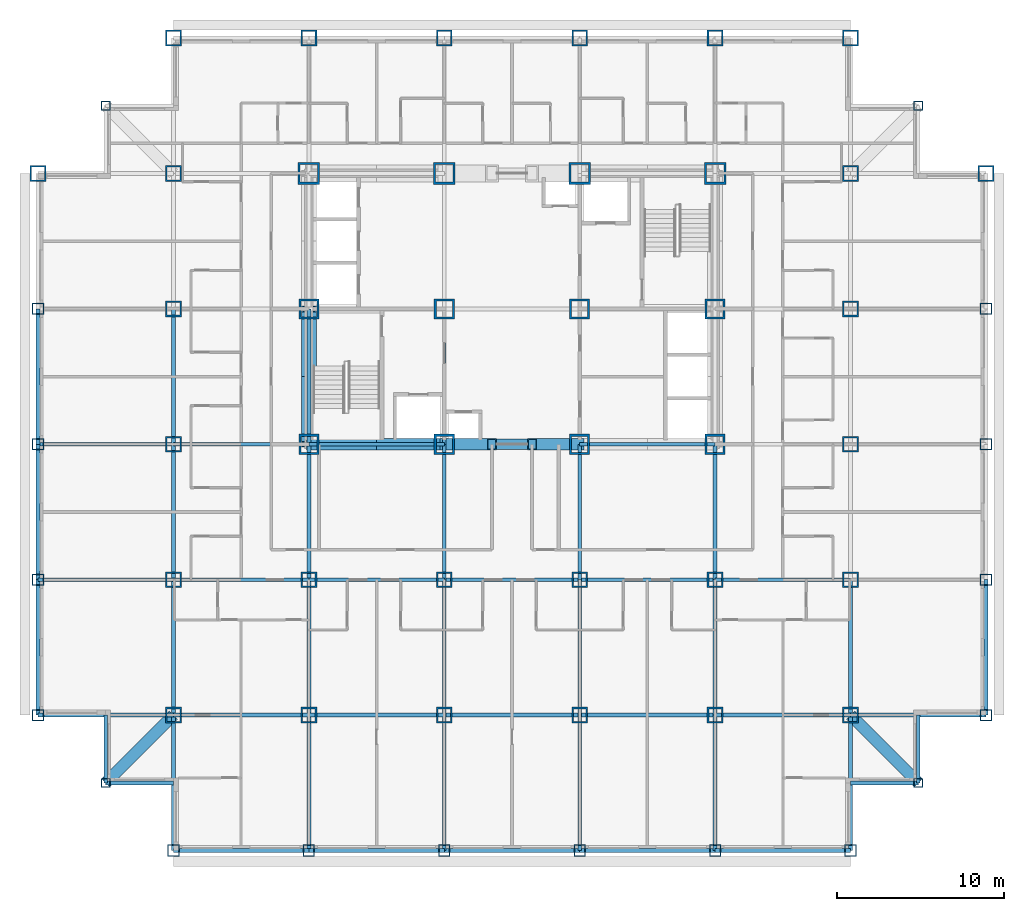
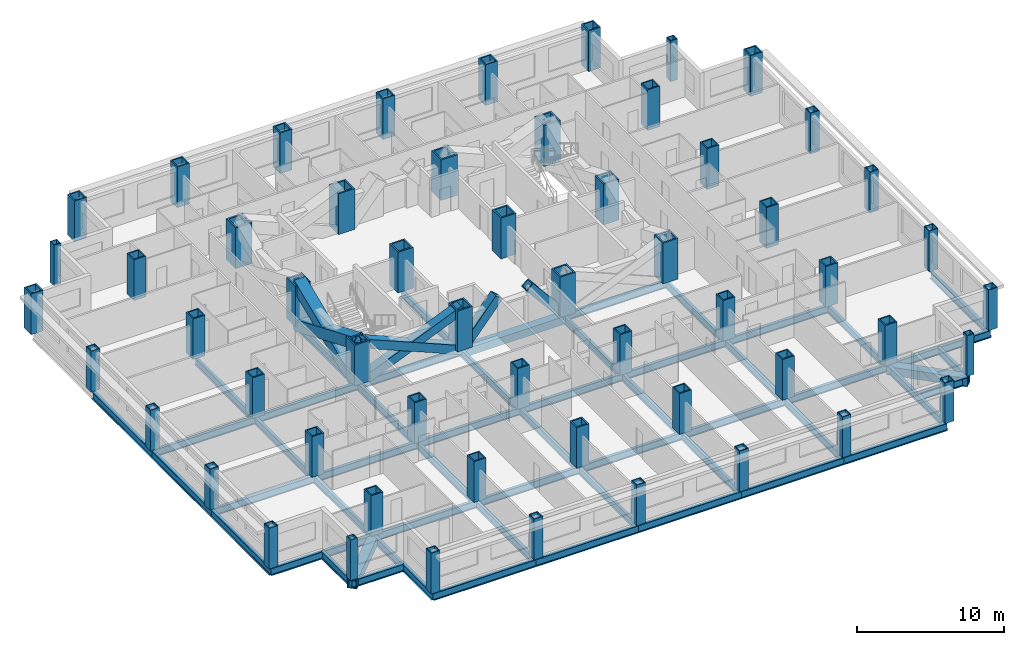
# One storey, part 1 of 11: 56 columns, 53 beams, 6 members.
"""IFC4 building model written with IfcOpenShell, lengths in metres."""

import ifcopenshell
import ifcopenshell.guid

model = None  # the IFC model being written
_history = None  # IfcOwnerHistory: only IFC2X3 demands one
_inside = {}  # id of a spatial element -> (the spatial element, [elements in it])
_under = {}  # id of a project, library or spatial element -> (it, [spatial elements below it])
_declared = {}  # id of a project -> (the project, [libraries it declares])
_typed = {}  # id of a type object -> (the type object, [elements of that type])
_made_of = {}  # id of a material, layer set ... -> (it, [elements and type objects made of it])


def new_model(schema):
    """Start an empty IFC model of exactly this schema.

    Asked for "IFC4X3", IfcOpenShell would pick the latest addendum, in which some entities
    have other attributes; the version numbers below select the first issue.
    IFC2X3 requires an IfcOwnerHistory on every rooted entity: one is made here for all.
    """
    global model, _history
    if schema == "IFC4X3":
        model = ifcopenshell.file(schema_version=(4, 3, 0, 0))
    else:
        model = ifcopenshell.file(schema=schema)
    _inside.clear()
    _under.clear()
    _declared.clear()
    _typed.clear()
    _made_of.clear()
    _history = None
    if model.schema == "IFC2X3":
        org = make("IfcOrganization", Name="unknown")
        user = make(
            "IfcPersonAndOrganization",
            ThePerson=make("IfcPerson", FamilyName="unknown"),
            TheOrganization=org,
        )
        app = make(
            "IfcApplication",
            ApplicationDeveloper=org,
            Version="unknown",
            ApplicationFullName="unknown",
            ApplicationIdentifier="unknown",
        )
        _history = make(
            "IfcOwnerHistory",
            OwningUser=user,
            OwningApplication=app,
            ChangeAction="ADDED",
            CreationDate=0,
        )
    return model


def make(cls, **values):
    """One entity of the class cls with the attributes given. An attribute that is None is left unset."""
    return model.create_entity(
        cls, **{name: value for name, value in values.items() if value is not None}
    )


def rooted(cls, **values):
    """An entity with a GlobalId (a new one), such as an element, a storey or a relation."""
    return make(cls, GlobalId=ifcopenshell.guid.new(), OwnerHistory=_history, **values)


def si_unit(unit_type, name, prefix=None):
    """IfcSIUnit, for example si_unit("LENGTHUNIT", "METRE", prefix="MILLI")."""
    return make("IfcSIUnit", UnitType=unit_type, Prefix=prefix, Name=name)


def assignment(units):
    """IfcUnitAssignment: the units of a project."""
    return None if units is None else make("IfcUnitAssignment", Units=units)


def point(xyz):
    """IfcCartesianPoint."""
    return None if xyz is None else make("IfcCartesianPoint", Coordinates=xyz)


def direction(xyz):
    """IfcDirection."""
    return None if xyz is None else make("IfcDirection", DirectionRatios=xyz)


def frame(location, z_axis=None, x_axis=None):
    """IfcAxis2Placement3D, a coordinate frame: its origin and axes. An axis left out is left unset."""
    return make(
        "IfcAxis2Placement3D",
        Location=point(location),
        Axis=direction(z_axis),
        RefDirection=direction(x_axis),
    )


def frame_2d(location, x_axis=None):
    """IfcAxis2Placement2D, a coordinate frame in the plane: its origin and x axis."""
    return make(
        "IfcAxis2Placement2D", Location=point(location), RefDirection=direction(x_axis)
    )


def origin():
    """The frame at (0, 0, 0) with its axes left unset."""
    return frame((0.0, 0.0, 0.0))


def origin_2d():
    """The frame at (0, 0) in the plane with its x axis left unset."""
    return frame_2d((0.0, 0.0))


def place(relative_to, where):
    """IfcLocalPlacement: puts the frame where relative to a parent placement (None: the world)."""
    return make(
        "IfcLocalPlacement", PlacementRelTo=relative_to, RelativePlacement=where
    )


def context(
    kind, dimensions, precision=None, world=None, true_north=None, identifier=None
):
    """IfcGeometricRepresentationContext, for example the 3D "Model" context."""
    return make(
        "IfcGeometricRepresentationContext",
        ContextIdentifier=identifier,
        ContextType=kind,
        CoordinateSpaceDimension=dimensions,
        Precision=precision,
        WorldCoordinateSystem=world,
        TrueNorth=true_north,
    )


def subcontext(parent, identifier, kind, view, scale=None):
    """IfcGeometricRepresentationSubContext, for example "Body" below "Model"."""
    return make(
        "IfcGeometricRepresentationSubContext",
        ContextIdentifier=identifier,
        ContextType=kind,
        ParentContext=parent,
        TargetScale=scale,
        TargetView=view,
    )


def project(units=None, contexts=None):
    """IfcProject with its units and contexts."""
    return rooted(
        "IfcProject",
        Name="project",
        RepresentationContexts=contexts,
        UnitsInContext=assignment(units),
    )


def spatial(cls, under=None, at=None, **own):
    """A site, building, storey or space (cls), placed at a placement, below another one or the project."""
    s = rooted(cls, ObjectPlacement=at, **own)
    if under is not None:
        _under.setdefault(under.id(), (under, []))[1].append(s)
    return s


def profile(cls, at=None, kind="AREA", **sizes):
    """A parametric profile (cls). Its sizes go by their IFC names, for example OverallWidth=200.0."""
    return make(cls, ProfileType=kind, Position=at, **sizes)


def hollow_rectangle(**sizes):
    """IfcRectangleHollowProfileDef."""
    return profile("IfcRectangleHollowProfileDef", **sizes)


def i_section(**sizes):
    """IfcIShapeProfileDef."""
    return profile("IfcIShapeProfileDef", **sizes)


def extrude(swept, where, along, depth):
    """IfcExtrudedAreaSolid: the profile swept, set in the frame where, extruded along a direction by depth."""
    return make(
        "IfcExtrudedAreaSolid",
        SweptArea=swept,
        Position=where,
        ExtrudedDirection=direction(along),
        Depth=depth,
    )


def shape(context_of_items, identifier, shape_type, items):
    """IfcShapeRepresentation: the items that make up one representation, for example the "Body"."""
    return make(
        "IfcShapeRepresentation",
        ContextOfItems=context_of_items,
        RepresentationIdentifier=identifier,
        RepresentationType=shape_type,
        Items=items,
    )


def material(Name=None, Category=None):
    """IfcMaterial."""
    return make("IfcMaterial", Name=Name, Category=Category)


def material_profile(
    of_material, cross_section, Name=None, Category=None, Priority=None
):
    """IfcMaterialProfile: a cross section and its material."""
    return make(
        "IfcMaterialProfile",
        Name=Name,
        Material=of_material,
        Profile=cross_section,
        Priority=Priority,
        Category=Category,
    )


def profile_set(profiles, Name=None, composite=None):
    """IfcMaterialProfileSet."""
    return make(
        "IfcMaterialProfileSet",
        Name=Name,
        MaterialProfiles=profiles,
        CompositeProfile=composite,
    )


def made_of(thing, what):
    """Note that an element or type object is made of a material, layer set ...; save() writes the relation."""
    if what is not None:
        _made_of.setdefault(what.id(), (what, []))[1].append(thing)
    return thing


def type_object(cls, material=None, **own):
    """A type object (cls), such as IfcWallType, which elements share."""
    return made_of(rooted(cls, **own), material)


def element(
    cls,
    number,
    at=None,
    inside=None,
    cuts=None,
    type_object=None,
    material=None,
    context=None,
    identifier="Body",
    shape_type=None,
    held_by="IfcProductDefinitionShape",
    body=None,
    shapes=None,
    **own,
):
    """One element of the class cls, such as IfcWall. Its Tag is "e" and its number.

    at: its placement. inside: the storey or other place that contains it. cuts: it is an
    opening in that element (IfcRelVoidsElement). A single representation is given by context,
    identifier, shape_type and body (its items); several are given by shapes. held_by: the class
    of the entity that holds the representations. save() writes the other relations.
    """
    e = rooted(cls, Tag="e%d" % number, ObjectPlacement=at, **own)
    if body is not None:
        shapes = [shape(context, identifier, shape_type, body)]
    if shapes is not None:
        e.Representation = make(held_by, Representations=shapes)
    if inside is not None:
        _inside.setdefault(inside.id(), (inside, []))[1].append(e)
    if cuts is not None:
        rooted(
            "IfcRelVoidsElement", RelatingBuildingElement=cuts, RelatedOpeningElement=e
        )
    if type_object is not None:
        _typed.setdefault(type_object.id(), (type_object, []))[1].append(e)
    return made_of(e, material)


def aggregate(whole, parts):
    """IfcRelAggregates: a whole, such as a stair, and the parts it consists of."""
    return rooted("IfcRelAggregates", RelatingObject=whole, RelatedObjects=parts)


def save(model, path):
    """Write the relations noted so far, then the file.

    IfcRelAggregates (storeys below a building ...), IfcRelContainedInSpatialStructure (elements
    in a storey), IfcRelDefinesByType, IfcRelAssociatesMaterial and IfcRelDeclares: one each for
    every whole, place, type object, material and project.
    """
    for whole, parts in _under.values():
        aggregate(whole, parts)
    for where, things in _inside.values():
        rooted(
            "IfcRelContainedInSpatialStructure",
            RelatedElements=things,
            RelatingStructure=where,
        )
    for kind, things in _typed.values():
        rooted("IfcRelDefinesByType", RelatedObjects=things, RelatingType=kind)
    for what, things in _made_of.values():
        rooted("IfcRelAssociatesMaterial", RelatedObjects=things, RelatingMaterial=what)
    for by, libraries in _declared.values():
        rooted("IfcRelDeclares", RelatingContext=by, RelatedDefinitions=libraries)
    model.write(path)


model = new_model("IFC4")

# Units and contexts
model_context = context("Model", 3, precision=1e-05, world=origin(), true_north=direction((0.0, 1.0)))
body_context = subcontext(model_context, "Body", "Model", "MODEL_VIEW")
ifc_project = project(units=[si_unit("LENGTHUNIT", "METRE"), si_unit("AREAUNIT", "SQUARE_METRE"), si_unit("VOLUMEUNIT", "CUBIC_METRE"), si_unit("PLANEANGLEUNIT", "RADIAN"), si_unit("MASSUNIT", "GRAM", prefix="KILO")], contexts=[model_context])

# Site, building, storey
site_placement = place(None, origin())
site = spatial("IfcSite", under=ifc_project, at=site_placement, CompositionType="ELEMENT")
building_placement = place(site_placement, origin())
building = spatial("IfcBuilding", under=site, at=building_placement, Name="Kopane Lantern Tower", CompositionType="ELEMENT")
storey_placement = place(building_placement, frame((0.0, 0.0, 33.0)))
storey = spatial("IfcBuildingStorey", under=building, at=storey_placement, Name="L06", CompositionType="ELEMENT", Elevation=33.0)

# Columns
ifc_material_1 = material(Name="Steel S355JR", Category="steel")
ifc_material_profile_1 = material_profile(ifc_material_1, hollow_rectangle(XDim=1.199951171875, YDim=1.199951171875, WallThickness=0.1201171875, at=origin_2d()), Name="BOX 1200x1200x120")
ifc_profile_set_1 = profile_set([ifc_material_profile_1], Name="Steel S355JR")
column_type_1 = type_object("IfcColumnType", Name="COLUMN BOX 1200x1200x120", PredefinedType="COLUMN", material=ifc_profile_set_1)
for number, where, z_axis, x_axis, name in (
    (1, (16.199951171875, 24.300048828125, 0.0), (0.0, 0.0, 1.0), (1.0, 0.0, 0.0), "Column 4/E L06"),
    (2, (16.199951171875, 32.39990234375, 0.0), (0.0, 0.0, 1.0), (1.0, 0.0, 0.0), "Column 4/F L06"),
    (3, (24.300048828125, 24.300048828125, 0.0), (0.0, 0.0, 1.0), (1.0, 0.0, 0.0), "Column 5/E L06"),
    (4, (24.300048828125, 32.39990234375, 0.0), (0.0, 0.0, 1.0), (1.0, 0.0, 0.0), "Column 5/F L06"),
    (5, (32.39990234375, 24.300048828125, 0.0), (0.0, 0.0, 1.0), (1.0, 0.0, 0.0), "Column 6/E L06"),
    (6, (32.39990234375, 32.39990234375, 0.0), (0.0, 0.0, 1.0), (1.0, 0.0, 0.0), "Column 6/F L06"),
    (7, (40.5, 24.300048828125, 0.0), (0.0, 0.0, 1.0), (1.0, 0.0, 0.0), "Column 7/E L06"),
    (8, (40.5, 32.39990234375, 0.0), (0.0, 0.0, 1.0), (1.0, 0.0, 0.0), "Column 7/F L06"),
):
    element("IfcColumn", number, at=place(storey_placement, frame(where, z_axis=z_axis, x_axis=x_axis)), inside=storey, type_object=column_type_1, Name=name, PredefinedType="COLUMN", context=body_context, shape_type="SweptSolid", body=[
        extrude(hollow_rectangle(XDim=1.199951171875, YDim=1.199951171875, WallThickness=0.1201171875, at=origin_2d()), origin(), (0.0, 0.0, 1.0), 3.39990234375),
    ])
ifc_material_2 = material(Name="Steel S355JR", Category="steel")
ifc_material_profile_2 = material_profile(ifc_material_2, hollow_rectangle(XDim=1.300048828125, YDim=1.300048828125, WallThickness=0.1298828125, at=origin_2d()), Name="BOX 1300x1300x130")
ifc_profile_set_2 = profile_set([ifc_material_profile_2], Name="Steel S355JR")
column_type_2 = type_object("IfcColumnType", Name="COLUMN BOX 1300x1300x130", PredefinedType="COLUMN", material=ifc_profile_set_2)
for number, where, z_axis, x_axis, name in (
    (9, (16.199951171875, 40.5, 0.0), (0.0, 0.0, 1.0), (1.0, 0.0, 0.0), "Column 4/G L06"),
    (10, (24.300048828125, 40.5, 0.0), (0.0, 0.0, 1.0), (1.0, 0.0, 0.0), "Column 5/G L06"),
    (11, (32.39990234375, 40.5, 0.0), (0.0, 0.0, 1.0), (1.0, 0.0, 0.0), "Column 6/G L06"),
    (12, (40.5, 40.5, 0.0), (0.0, 0.0, 1.0), (1.0, 0.0, 0.0), "Column 7/G L06"),
):
    element("IfcColumn", number, at=place(storey_placement, frame(where, z_axis=z_axis, x_axis=x_axis)), inside=storey, type_object=column_type_2, Name=name, PredefinedType="COLUMN", context=body_context, shape_type="SweptSolid", body=[
        extrude(hollow_rectangle(XDim=1.300048828125, YDim=1.300048828125, WallThickness=0.1298828125, at=origin_2d()), origin(), (0.0, 0.0, 1.0), 3.39990234375),
    ])
ifc_material_3 = material(Name="Steel S355JR", Category="steel")
ifc_material_profile_3 = material_profile(ifc_material_3, hollow_rectangle(XDim=0.550048828125, YDim=0.550048828125, WallThickness=0.050048828125, at=origin_2d()), Name="BOX 550x550x50")
ifc_profile_set_3 = profile_set([ifc_material_profile_3], Name="Steel S355JR")
column_type_3 = type_object("IfcColumnType", Name="COLUMN BOX 550x550x50", PredefinedType="COLUMN", material=ifc_profile_set_3)
for number, where, z_axis, x_axis, name in (
    (13, (4.050048828125, 4.050048828125, 0.0), (0.0, 0.0, 1.0), (1.0, 0.0, 0.0), "Column 4.05/4.05 L06"),
    (14, (4.050048828125, 44.550048828125, 0.0), (0.0, 0.0, 1.0), (1.0, 0.0, 0.0), "Column 4.05/44.55 L06"),
    (15, (52.64990234375, 4.050048828125, 0.0), (0.0, 0.0, 1.0), (1.0, 0.0, 0.0), "Column 52.65/4.05 L06"),
    (16, (52.64990234375, 44.550048828125, 0.0), (0.0, 0.0, 1.0), (1.0, 0.0, 0.0), "Column 52.65/44.55 L06"),
):
    element("IfcColumn", number, at=place(storey_placement, frame(where, z_axis=z_axis, x_axis=x_axis)), inside=storey, type_object=column_type_3, Name=name, PredefinedType="COLUMN", context=body_context, shape_type="SweptSolid", body=[
        extrude(hollow_rectangle(XDim=0.550048828125, YDim=0.550048828125, WallThickness=0.050048828125, at=origin_2d()), origin(), (0.0, 0.0, 1.0), 3.39990234375),
    ])
ifc_material_4 = material(Name="Steel S355JR", Category="steel")
ifc_material_profile_4 = material_profile(ifc_material_4, hollow_rectangle(XDim=0.699951171875, YDim=0.699951171875, WallThickness=0.06005859375, at=origin_2d()), Name="BOX 700x700x60")
ifc_profile_set_4 = profile_set([ifc_material_profile_4], Name="Steel S355JR")
column_type_4 = type_object("IfcColumnType", Name="COLUMN BOX 700x700x60", PredefinedType="COLUMN", material=ifc_profile_set_4)
for number, where, z_axis, x_axis, name in (
    (17, (0.0, 8.10009765625, 0.0), (0.0, 0.0, 1.0), (1.0, 0.0, 0.0), "Column 2/C L06"),
    (18, (0.0, 16.199951171875, 0.0), (0.0, 0.0, 1.0), (1.0, 0.0, 0.0), "Column 2/D L06"),
    (19, (0.0, 24.300048828125, 0.0), (0.0, 0.0, 1.0), (1.0, 0.0, 0.0), "Column 2/E L06"),
    (20, (0.0, 32.39990234375, 0.0), (0.0, 0.0, 1.0), (1.0, 0.0, 0.0), "Column 2/F L06"),
    (21, (8.10009765625, 0.0, 0.0), (0.0, 0.0, 1.0), (1.0, 0.0, 0.0), "Column 3/B L06"),
    (22, (16.199951171875, 0.0, 0.0), (0.0, 0.0, 1.0), (1.0, 0.0, 0.0), "Column 4/B L06"),
    (23, (24.300048828125, 0.0, 0.0), (0.0, 0.0, 1.0), (1.0, 0.0, 0.0), "Column 5/B L06"),
    (24, (32.39990234375, 0.0, 0.0), (0.0, 0.0, 1.0), (1.0, 0.0, 0.0), "Column 6/B L06"),
    (25, (40.5, 0.0, 0.0), (0.0, 0.0, 1.0), (1.0, 0.0, 0.0), "Column 7/B L06"),
    (26, (48.60009765625, 0.0, 0.0), (0.0, 0.0, 1.0), (1.0, 0.0, 0.0), "Column 8/B L06"),
    (27, (56.699951171875, 8.10009765625, 0.0), (0.0, 0.0, 1.0), (1.0, 0.0, 0.0), "Column 9/C L06"),
    (28, (56.699951171875, 16.199951171875, 0.0), (0.0, 0.0, 1.0), (1.0, 0.0, 0.0), "Column 9/D L06"),
    (29, (56.699951171875, 24.300048828125, 0.0), (0.0, 0.0, 1.0), (1.0, 0.0, 0.0), "Column 9/E L06"),
    (30, (56.699951171875, 32.39990234375, 0.0), (0.0, 0.0, 1.0), (1.0, 0.0, 0.0), "Column 9/F L06"),
):
    element("IfcColumn", number, at=place(storey_placement, frame(where, z_axis=z_axis, x_axis=x_axis)), inside=storey, type_object=column_type_4, Name=name, PredefinedType="COLUMN", context=body_context, shape_type="SweptSolid", body=[
        extrude(hollow_rectangle(XDim=0.699951171875, YDim=0.699951171875, WallThickness=0.06005859375, at=origin_2d()), origin(), (0.0, 0.0, 1.0), 3.39990234375),
    ])
ifc_material_5 = material(Name="Steel S355JR", Category="steel")
ifc_material_profile_5 = material_profile(ifc_material_5, hollow_rectangle(XDim=0.949951171875, YDim=0.949951171875, WallThickness=0.094970703125, at=origin_2d()), Name="BOX 950x950x95")
ifc_profile_set_5 = profile_set([ifc_material_profile_5], Name="Steel S355JR")
column_type_5 = type_object("IfcColumnType", Name="COLUMN BOX 950x950x95", PredefinedType="COLUMN", material=ifc_profile_set_5)
for number, where, z_axis, x_axis, name in (
    (31, (0.0, 40.5, 0.0), (0.0, 0.0, 1.0), (1.0, 0.0, 0.0), "Column 2/G L06"),
    (32, (8.10009765625, 8.10009765625, 0.0), (0.0, 0.0, 1.0), (1.0, 0.0, 0.0), "Column 3/C L06"),
    (33, (8.10009765625, 16.199951171875, 0.0), (0.0, 0.0, 1.0), (1.0, 0.0, 0.0), "Column 3/D L06"),
    (34, (8.10009765625, 24.300048828125, 0.0), (0.0, 0.0, 1.0), (1.0, 0.0, 0.0), "Column 3/E L06"),
    (35, (8.10009765625, 32.39990234375, 0.0), (0.0, 0.0, 1.0), (1.0, 0.0, 0.0), "Column 3/F L06"),
    (36, (8.10009765625, 40.5, 0.0), (0.0, 0.0, 1.0), (1.0, 0.0, 0.0), "Column 3/G L06"),
    (37, (8.10009765625, 48.60009765625, 0.0), (0.0, 0.0, 1.0), (1.0, 0.0, 0.0), "Column 3/H L06"),
    (38, (16.199951171875, 8.10009765625, 0.0), (0.0, 0.0, 1.0), (1.0, 0.0, 0.0), "Column 4/C L06"),
    (39, (16.199951171875, 16.199951171875, 0.0), (0.0, 0.0, 1.0), (1.0, 0.0, 0.0), "Column 4/D L06"),
    (40, (16.199951171875, 48.60009765625, 0.0), (0.0, 0.0, 1.0), (1.0, 0.0, 0.0), "Column 4/H L06"),
    (41, (24.300048828125, 8.10009765625, 0.0), (0.0, 0.0, 1.0), (1.0, 0.0, 0.0), "Column 5/C L06"),
    (42, (24.300048828125, 16.199951171875, 0.0), (0.0, 0.0, 1.0), (1.0, 0.0, 0.0), "Column 5/D L06"),
    (43, (24.300048828125, 48.60009765625, 0.0), (0.0, 0.0, 1.0), (1.0, 0.0, 0.0), "Column 5/H L06"),
    (44, (32.39990234375, 8.10009765625, 0.0), (0.0, 0.0, 1.0), (1.0, 0.0, 0.0), "Column 6/C L06"),
    (45, (32.39990234375, 16.199951171875, 0.0), (0.0, 0.0, 1.0), (1.0, 0.0, 0.0), "Column 6/D L06"),
    (46, (32.39990234375, 48.60009765625, 0.0), (0.0, 0.0, 1.0), (1.0, 0.0, 0.0), "Column 6/H L06"),
    (47, (40.5, 8.10009765625, 0.0), (0.0, 0.0, 1.0), (1.0, 0.0, 0.0), "Column 7/C L06"),
    (48, (40.5, 16.199951171875, 0.0), (0.0, 0.0, 1.0), (1.0, 0.0, 0.0), "Column 7/D L06"),
    (49, (40.5, 48.60009765625, 0.0), (0.0, 0.0, 1.0), (1.0, 0.0, 0.0), "Column 7/H L06"),
    (50, (48.60009765625, 8.10009765625, 0.0), (0.0, 0.0, 1.0), (1.0, 0.0, 0.0), "Column 8/C L06"),
    (51, (48.60009765625, 16.199951171875, 0.0), (0.0, 0.0, 1.0), (1.0, 0.0, 0.0), "Column 8/D L06"),
    (52, (48.60009765625, 24.300048828125, 0.0), (0.0, 0.0, 1.0), (1.0, 0.0, 0.0), "Column 8/E L06"),
    (53, (48.60009765625, 32.39990234375, 0.0), (0.0, 0.0, 1.0), (1.0, 0.0, 0.0), "Column 8/F L06"),
    (54, (48.60009765625, 40.5, 0.0), (0.0, 0.0, 1.0), (1.0, 0.0, 0.0), "Column 8/G L06"),
    (55, (48.60009765625, 48.60009765625, 0.0), (0.0, 0.0, 1.0), (1.0, 0.0, 0.0), "Column 8/H L06"),
    (56, (56.699951171875, 40.5, 0.0), (0.0, 0.0, 1.0), (1.0, 0.0, 0.0), "Column 9/G L06"),
):
    element("IfcColumn", number, at=place(storey_placement, frame(where, z_axis=z_axis, x_axis=x_axis)), inside=storey, type_object=column_type_5, Name=name, PredefinedType="COLUMN", context=body_context, shape_type="SweptSolid", body=[
        extrude(hollow_rectangle(XDim=0.949951171875, YDim=0.949951171875, WallThickness=0.094970703125, at=origin_2d()), origin(), (0.0, 0.0, 1.0), 3.39990234375),
    ])

# Members
ifc_material_6 = material(Name="Steel S355JR", Category="steel")
ifc_material_profile_6 = material_profile(ifc_material_6, hollow_rectangle(XDim=0.699951171875, YDim=0.699951171875, WallThickness=0.06005859375, at=origin_2d()), Name="BOX 700x700x60")
ifc_profile_set_6 = profile_set([ifc_material_profile_6], Name="Steel S355JR")
member_type_1 = type_object("IfcMemberType", Name="BRACE BOX 700x700x60", PredefinedType="BRACE", material=ifc_profile_set_6)
for number, where, z_axis, x_axis, name in (
    (57, (16.199951171875, 24.300048828125, -0.2099609375), (0.922069000757, 0.0, 0.387025526088), (0.0, 1.0, 0.0), "Core brace L06"),
    (58, (24.300048828125, 24.300048828125, -0.2099609375), (-0.922069000757, 0.0, 0.387025526088), (0.0, -1.0, 0.0), "Core brace L06"),
):
    element("IfcMember", number, at=place(storey_placement, frame(where, z_axis=z_axis, x_axis=x_axis)), inside=storey, type_object=member_type_1, Name=name, PredefinedType="BRACE", context=body_context, shape_type="SweptSolid", body=[
        extrude(hollow_rectangle(XDim=0.699951171875, YDim=0.699951171875, WallThickness=0.06005859375, at=origin_2d()), origin(), (0.0, 0.0, 1.0), 8.78466796875),
    ])
for number, where, z_axis, x_axis, name in (
    (59, (24.300048828125, 24.300048828125, -0.2099609375), (0.642390257445, 0.0, 0.7663776857), (0.0, 1.0, 0.0), "Core brace L06"),
    (60, (32.39990234375, 24.300048828125, -0.2099609375), (-0.642390257445, 0.0, 0.7663776857), (0.0, -1.0, 0.0), "Core brace L06"),
):
    element("IfcMember", number, at=place(storey_placement, frame(where, z_axis=z_axis, x_axis=x_axis)), inside=storey, type_object=member_type_1, Name=name, PredefinedType="BRACE", context=body_context, shape_type="SweptSolid", body=[
        extrude(hollow_rectangle(XDim=0.699951171875, YDim=0.699951171875, WallThickness=0.06005859375, at=origin_2d()), origin(), (0.0, 0.0, 1.0), 4.436279296875),
    ])
ifc_material_7 = material(Name="Steel S355JR", Category="steel")
ifc_material_profile_7 = material_profile(ifc_material_7, hollow_rectangle(XDim=0.89990234375, YDim=0.89990234375, WallThickness=0.090087890625, at=origin_2d()), Name="BOX 900x900x90")
ifc_profile_set_7 = profile_set([ifc_material_profile_7], Name="Steel S355JR")
member_type_2 = type_object("IfcMemberType", Name="BRACE BOX 900x900x90", PredefinedType="BRACE", material=ifc_profile_set_7)
for number, where, z_axis, x_axis, name in (
    (61, (16.199951171875, 24.300048828125, -0.2099609375), (0.0, 0.922064837731, 0.38703544414), (-1.0, 0.0, 0.0), "Core brace L06"),
    (62, (16.199951171875, 32.39990234375, -0.2099609375), (0.0, -0.922064837731, 0.38703544414), (1.0, 0.0, 0.0), "Core brace L06"),
):
    element("IfcMember", number, at=place(storey_placement, frame(where, z_axis=z_axis, x_axis=x_axis)), inside=storey, type_object=member_type_2, Name=name, PredefinedType="BRACE", context=body_context, shape_type="SweptSolid", body=[
        extrude(hollow_rectangle(XDim=0.89990234375, YDim=0.89990234375, WallThickness=0.090087890625, at=origin_2d()), origin(), (0.0, 0.0, 1.0), 8.784423828125),
    ])

# Beams
ifc_material_8 = material(Name="Steel S355JR", Category="steel")
ifc_material_profile_8 = material_profile(ifc_material_8, i_section(OverallWidth=0.22900390625, OverallDepth=0.6123046875, WebThickness=0.011962890625, FlangeThickness=0.01953125, FilletRadius=0.0126953125, at=origin_2d()), Name="UB 610x229x125")
ifc_profile_set_8 = profile_set([ifc_material_profile_8], Name="Steel S355JR")
beam_type_1 = type_object("IfcBeamType", Name="CORE BEAM UB 610x229x125", PredefinedType="BEAM", material=ifc_profile_set_8)
beam_1_placement = place(storey_placement, frame((24.300048828125, 24.300048828125, -0.51611328125), z_axis=(0.0, 1.0, 0.0), x_axis=(-1.0, 0.0, 0.0)))
element("IfcBeam", 63, at=beam_1_placement, inside=storey, type_object=beam_type_1, Name="Core Beam L06", PredefinedType="BEAM", context=body_context, shape_type="SweptSolid", body=[
    extrude(i_section(OverallWidth=0.22900390625, OverallDepth=0.6123046875, WebThickness=0.011962890625, FlangeThickness=0.01953125, FilletRadius=0.0126953125, at=origin_2d()), origin(), (0.0, 0.0, 1.0), 8.099853515625),
])
ifc_material_9 = material(Name="Steel S355JR", Category="steel")
ifc_material_profile_9 = material_profile(ifc_material_9, hollow_rectangle(XDim=0.699951171875, YDim=0.699951171875, WallThickness=0.06005859375, at=origin_2d()), Name="BOX 700x700x60")
ifc_profile_set_9 = profile_set([ifc_material_profile_9], Name="Steel S355JR")
beam_type_2 = type_object("IfcBeamType", Name="CORNER TIE BEAM BOX 700x700x60", PredefinedType="BEAM", material=ifc_profile_set_9)
for number, where, z_axis, x_axis, name in (
    (64, (4.050048828125, 4.050048828125, -0.56005859375), (0.707106781187, 0.707106781187, 0.0), (-0.707106781187, 0.707106781187, 0.0), "Corner Tie Beam L06"),
    (65, (52.64990234375, 4.050048828125, -0.56005859375), (-0.707085467703, 0.707128094028, 0.0), (-0.707128094028, -0.707085467703, 0.0), "Corner Tie Beam L06"),
):
    element("IfcBeam", number, at=place(storey_placement, frame(where, z_axis=z_axis, x_axis=x_axis)), inside=storey, type_object=beam_type_2, Name=name, PredefinedType="BEAM", context=body_context, shape_type="SweptSolid", body=[
        extrude(hollow_rectangle(XDim=0.699951171875, YDim=0.699951171875, WallThickness=0.06005859375, at=origin_2d()), origin(), (0.0, 0.0, 1.0), 5.7275390625),
    ])
ifc_material_10 = material(Name="Steel S355JR", Category="steel")
ifc_material_profile_10 = material_profile(ifc_material_10, i_section(OverallWidth=0.22900390625, OverallDepth=0.6123046875, WebThickness=0.011962890625, FlangeThickness=0.01953125, FilletRadius=0.0126953125, at=origin_2d()), Name="UB 610x229x125")
ifc_profile_set_10 = profile_set([ifc_material_profile_10], Name="Steel S355JR")
beam_type_3 = type_object("IfcBeamType", Name="EDGE BEAM UB 610x229x125", PredefinedType="BEAM", material=ifc_profile_set_10)
for number, where, z_axis, x_axis, name in (
    (66, (4.050048828125, 4.050048828125, -0.51611328125), (0.0, 1.0, 0.0), (-1.0, 0.0, 0.0), "Edge Beam L06"),
    (67, (4.050048828125, 4.050048828125, -0.51611328125), (1.0, 0.0, 0.0), (0.0, 1.0, 0.0), "Edge Beam L06"),
):
    element("IfcBeam", number, at=place(storey_placement, frame(where, z_axis=z_axis, x_axis=x_axis)), inside=storey, type_object=beam_type_3, Name=name, PredefinedType="BEAM", context=body_context, shape_type="SweptSolid", body=[
        extrude(i_section(OverallWidth=0.22900390625, OverallDepth=0.6123046875, WebThickness=0.011962890625, FlangeThickness=0.01953125, FilletRadius=0.0126953125, at=origin_2d()), origin(), (0.0, 0.0, 1.0), 4.050048828125),
    ])
beam_2_placement = place(storey_placement, frame((52.64990234375, 4.050048828125, -0.51611328125), z_axis=(-1.0, 0.0, 0.0), x_axis=(0.0, -1.0, 0.0)))
element("IfcBeam", 68, at=beam_2_placement, inside=storey, type_object=beam_type_3, Name="Edge Beam L06", PredefinedType="BEAM", context=body_context, shape_type="SweptSolid", body=[
    extrude(i_section(OverallWidth=0.22900390625, OverallDepth=0.6123046875, WebThickness=0.011962890625, FlangeThickness=0.01953125, FilletRadius=0.0126953125, at=origin_2d()), origin(), (0.0, 0.0, 1.0), 4.0498046875),
])
beam_3_placement = place(storey_placement, frame((52.64990234375, 4.050048828125, -0.51611328125), z_axis=(0.0, 1.0, 0.0), x_axis=(-1.0, 0.0, 0.0)))
element("IfcBeam", 69, at=beam_3_placement, inside=storey, type_object=beam_type_3, Name="Edge Beam L06", PredefinedType="BEAM", context=body_context, shape_type="SweptSolid", body=[
    extrude(i_section(OverallWidth=0.22900390625, OverallDepth=0.6123046875, WebThickness=0.011962890625, FlangeThickness=0.01953125, FilletRadius=0.0126953125, at=origin_2d()), origin(), (0.0, 0.0, 1.0), 4.050048828125),
])
ifc_material_11 = material(Name="Steel S355JR", Category="steel")
ifc_material_profile_11 = material_profile(ifc_material_11, i_section(OverallWidth=0.22900390625, OverallDepth=0.6123046875, WebThickness=0.011962890625, FlangeThickness=0.01953125, FilletRadius=0.0126953125, at=origin_2d()), Name="UB 610x229x125")
ifc_profile_set_11 = profile_set([ifc_material_profile_11], Name="Steel S355JR")
beam_type_4 = type_object("IfcBeamType", Name="GIRDER UB 610x229x125", PredefinedType="BEAM", material=ifc_profile_set_11)
beam_4_placement = place(storey_placement, frame((0.0, 8.10009765625, -0.51611328125), z_axis=(0.0, 1.0, 0.0), x_axis=(-1.0, 0.0, 0.0)))
element("IfcBeam", 70, at=beam_4_placement, inside=storey, type_object=beam_type_4, Name="Girder L06", PredefinedType="BEAM", context=body_context, shape_type="SweptSolid", body=[
    extrude(i_section(OverallWidth=0.22900390625, OverallDepth=0.6123046875, WebThickness=0.011962890625, FlangeThickness=0.01953125, FilletRadius=0.0126953125, at=origin_2d()), origin(), (0.0, 0.0, 1.0), 8.099853515625),
])
for number, where, z_axis, x_axis, name in (
    (71, (0.0, 8.10009765625, -0.51611328125), (1.0, 0.0, 0.0), (0.0, 1.0, 0.0), "Girder L06"),
    (72, (0.0, 16.199951171875, -0.51611328125), (0.0, 1.0, 0.0), (-1.0, 0.0, 0.0), "Girder L06"),
    (73, (0.0, 16.199951171875, -0.51611328125), (1.0, 0.0, 0.0), (0.0, 1.0, 0.0), "Girder L06"),
):
    element("IfcBeam", number, at=place(storey_placement, frame(where, z_axis=z_axis, x_axis=x_axis)), inside=storey, type_object=beam_type_4, Name=name, PredefinedType="BEAM", context=body_context, shape_type="SweptSolid", body=[
        extrude(i_section(OverallWidth=0.22900390625, OverallDepth=0.6123046875, WebThickness=0.011962890625, FlangeThickness=0.01953125, FilletRadius=0.0126953125, at=origin_2d()), origin(), (0.0, 0.0, 1.0), 8.10009765625),
    ])
beam_5_placement = place(storey_placement, frame((0.0, 24.300048828125, -0.51611328125), z_axis=(0.0, 1.0, 0.0), x_axis=(-1.0, 0.0, 0.0)))
element("IfcBeam", 74, at=beam_5_placement, inside=storey, type_object=beam_type_4, Name="Girder L06", PredefinedType="BEAM", context=body_context, shape_type="SweptSolid", body=[
    extrude(i_section(OverallWidth=0.22900390625, OverallDepth=0.6123046875, WebThickness=0.011962890625, FlangeThickness=0.01953125, FilletRadius=0.0126953125, at=origin_2d()), origin(), (0.0, 0.0, 1.0), 8.099853515625),
])
for number, where, z_axis, x_axis, name in (
    (75, (0.0, 24.300048828125, -0.51611328125), (1.0, 0.0, 0.0), (0.0, 1.0, 0.0), "Girder L06"),
    (76, (8.10009765625, 0.0, -0.51611328125), (0.0, 1.0, 0.0), (-1.0, 0.0, 0.0), "Girder L06"),
):
    element("IfcBeam", number, at=place(storey_placement, frame(where, z_axis=z_axis, x_axis=x_axis)), inside=storey, type_object=beam_type_4, Name=name, PredefinedType="BEAM", context=body_context, shape_type="SweptSolid", body=[
        extrude(i_section(OverallWidth=0.22900390625, OverallDepth=0.6123046875, WebThickness=0.011962890625, FlangeThickness=0.01953125, FilletRadius=0.0126953125, at=origin_2d()), origin(), (0.0, 0.0, 1.0), 8.10009765625),
    ])
for number, where, z_axis, x_axis, name in (
    (77, (8.10009765625, 0.0, -0.51611328125), (1.0, 0.0, 0.0), (0.0, 1.0, 0.0), "Girder L06"),
    (78, (8.10009765625, 8.10009765625, -0.51611328125), (0.0, 1.0, 0.0), (-1.0, 0.0, 0.0), "Girder L06"),
    (79, (8.10009765625, 8.10009765625, -0.51611328125), (1.0, 0.0, 0.0), (0.0, 1.0, 0.0), "Girder L06"),
):
    element("IfcBeam", number, at=place(storey_placement, frame(where, z_axis=z_axis, x_axis=x_axis)), inside=storey, type_object=beam_type_4, Name=name, PredefinedType="BEAM", context=body_context, shape_type="SweptSolid", body=[
        extrude(i_section(OverallWidth=0.22900390625, OverallDepth=0.6123046875, WebThickness=0.011962890625, FlangeThickness=0.01953125, FilletRadius=0.0126953125, at=origin_2d()), origin(), (0.0, 0.0, 1.0), 8.099853515625),
    ])
beam_6_placement = place(storey_placement, frame((8.10009765625, 16.199951171875, -0.51611328125), z_axis=(0.0, 1.0, 0.0), x_axis=(-1.0, 0.0, 0.0)))
element("IfcBeam", 80, at=beam_6_placement, inside=storey, type_object=beam_type_4, Name="Girder L06", PredefinedType="BEAM", context=body_context, shape_type="SweptSolid", body=[
    extrude(i_section(OverallWidth=0.22900390625, OverallDepth=0.6123046875, WebThickness=0.011962890625, FlangeThickness=0.01953125, FilletRadius=0.0126953125, at=origin_2d()), origin(), (0.0, 0.0, 1.0), 8.10009765625),
])
for number, where, z_axis, x_axis, name in (
    (81, (8.10009765625, 16.199951171875, -0.51611328125), (1.0, 0.0, 0.0), (0.0, 1.0, 0.0), "Girder L06"),
    (82, (8.10009765625, 24.300048828125, -0.51611328125), (0.0, 1.0, 0.0), (-1.0, 0.0, 0.0), "Girder L06"),
    (83, (8.10009765625, 24.300048828125, -0.51611328125), (1.0, 0.0, 0.0), (0.0, 1.0, 0.0), "Girder L06"),
):
    element("IfcBeam", number, at=place(storey_placement, frame(where, z_axis=z_axis, x_axis=x_axis)), inside=storey, type_object=beam_type_4, Name=name, PredefinedType="BEAM", context=body_context, shape_type="SweptSolid", body=[
        extrude(i_section(OverallWidth=0.22900390625, OverallDepth=0.6123046875, WebThickness=0.011962890625, FlangeThickness=0.01953125, FilletRadius=0.0126953125, at=origin_2d()), origin(), (0.0, 0.0, 1.0), 8.099853515625),
    ])
for number, where, z_axis, x_axis, name in (
    (84, (16.199951171875, 0.0, -0.51611328125), (0.0, 1.0, 0.0), (-1.0, 0.0, 0.0), "Girder L06"),
    (85, (16.199951171875, 0.0, -0.51611328125), (1.0, 0.0, 0.0), (0.0, 1.0, 0.0), "Girder L06"),
):
    element("IfcBeam", number, at=place(storey_placement, frame(where, z_axis=z_axis, x_axis=x_axis)), inside=storey, type_object=beam_type_4, Name=name, PredefinedType="BEAM", context=body_context, shape_type="SweptSolid", body=[
        extrude(i_section(OverallWidth=0.22900390625, OverallDepth=0.6123046875, WebThickness=0.011962890625, FlangeThickness=0.01953125, FilletRadius=0.0126953125, at=origin_2d()), origin(), (0.0, 0.0, 1.0), 8.10009765625),
    ])
beam_7_placement = place(storey_placement, frame((16.199951171875, 8.10009765625, -0.51611328125), z_axis=(0.0, 1.0, 0.0), x_axis=(-1.0, 0.0, 0.0)))
element("IfcBeam", 86, at=beam_7_placement, inside=storey, type_object=beam_type_4, Name="Girder L06", PredefinedType="BEAM", context=body_context, shape_type="SweptSolid", body=[
    extrude(i_section(OverallWidth=0.22900390625, OverallDepth=0.6123046875, WebThickness=0.011962890625, FlangeThickness=0.01953125, FilletRadius=0.0126953125, at=origin_2d()), origin(), (0.0, 0.0, 1.0), 8.099853515625),
])
for number, where, z_axis, x_axis, name in (
    (87, (16.199951171875, 8.10009765625, -0.51611328125), (1.0, 0.0, 0.0), (0.0, 1.0, 0.0), "Girder L06"),
    (88, (16.199951171875, 16.199951171875, -0.51611328125), (0.0, 1.0, 0.0), (-1.0, 0.0, 0.0), "Girder L06"),
    (89, (16.199951171875, 16.199951171875, -0.51611328125), (1.0, 0.0, 0.0), (0.0, 1.0, 0.0), "Girder L06"),
):
    element("IfcBeam", number, at=place(storey_placement, frame(where, z_axis=z_axis, x_axis=x_axis)), inside=storey, type_object=beam_type_4, Name=name, PredefinedType="BEAM", context=body_context, shape_type="SweptSolid", body=[
        extrude(i_section(OverallWidth=0.22900390625, OverallDepth=0.6123046875, WebThickness=0.011962890625, FlangeThickness=0.01953125, FilletRadius=0.0126953125, at=origin_2d()), origin(), (0.0, 0.0, 1.0), 8.10009765625),
    ])
beam_8_placement = place(storey_placement, frame((16.199951171875, 24.300048828125, -0.51611328125), z_axis=(0.0, 1.0, 0.0), x_axis=(-1.0, 0.0, 0.0)))
element("IfcBeam", 90, at=beam_8_placement, inside=storey, type_object=beam_type_4, Name="Girder L06", PredefinedType="BEAM", context=body_context, shape_type="SweptSolid", body=[
    extrude(i_section(OverallWidth=0.22900390625, OverallDepth=0.6123046875, WebThickness=0.011962890625, FlangeThickness=0.01953125, FilletRadius=0.0126953125, at=origin_2d()), origin(), (0.0, 0.0, 1.0), 8.099853515625),
])
for number, where, z_axis, x_axis, name in (
    (91, (16.199951171875, 24.300048828125, -0.51611328125), (1.0, 0.0, 0.0), (0.0, 1.0, 0.0), "Girder L06"),
    (92, (24.300048828125, 0.0, -0.51611328125), (0.0, 1.0, 0.0), (-1.0, 0.0, 0.0), "Girder L06"),
):
    element("IfcBeam", number, at=place(storey_placement, frame(where, z_axis=z_axis, x_axis=x_axis)), inside=storey, type_object=beam_type_4, Name=name, PredefinedType="BEAM", context=body_context, shape_type="SweptSolid", body=[
        extrude(i_section(OverallWidth=0.22900390625, OverallDepth=0.6123046875, WebThickness=0.011962890625, FlangeThickness=0.01953125, FilletRadius=0.0126953125, at=origin_2d()), origin(), (0.0, 0.0, 1.0), 8.10009765625),
    ])
for number, where, z_axis, x_axis, name in (
    (93, (24.300048828125, 0.0, -0.51611328125), (1.0, 0.0, 0.0), (0.0, 1.0, 0.0), "Girder L06"),
    (94, (24.300048828125, 8.10009765625, -0.51611328125), (0.0, 1.0, 0.0), (-1.0, 0.0, 0.0), "Girder L06"),
    (95, (24.300048828125, 8.10009765625, -0.51611328125), (1.0, 0.0, 0.0), (0.0, 1.0, 0.0), "Girder L06"),
):
    element("IfcBeam", number, at=place(storey_placement, frame(where, z_axis=z_axis, x_axis=x_axis)), inside=storey, type_object=beam_type_4, Name=name, PredefinedType="BEAM", context=body_context, shape_type="SweptSolid", body=[
        extrude(i_section(OverallWidth=0.22900390625, OverallDepth=0.6123046875, WebThickness=0.011962890625, FlangeThickness=0.01953125, FilletRadius=0.0126953125, at=origin_2d()), origin(), (0.0, 0.0, 1.0), 8.099853515625),
    ])
beam_9_placement = place(storey_placement, frame((24.300048828125, 16.199951171875, -0.51611328125), z_axis=(0.0, 1.0, 0.0), x_axis=(-1.0, 0.0, 0.0)))
element("IfcBeam", 96, at=beam_9_placement, inside=storey, type_object=beam_type_4, Name="Girder L06", PredefinedType="BEAM", context=body_context, shape_type="SweptSolid", body=[
    extrude(i_section(OverallWidth=0.22900390625, OverallDepth=0.6123046875, WebThickness=0.011962890625, FlangeThickness=0.01953125, FilletRadius=0.0126953125, at=origin_2d()), origin(), (0.0, 0.0, 1.0), 8.10009765625),
])
beam_10_placement = place(storey_placement, frame((24.300048828125, 16.199951171875, -0.51611328125), z_axis=(1.0, 0.0, 0.0), x_axis=(0.0, 1.0, 0.0)))
element("IfcBeam", 97, at=beam_10_placement, inside=storey, type_object=beam_type_4, Name="Girder L06", PredefinedType="BEAM", context=body_context, shape_type="SweptSolid", body=[
    extrude(i_section(OverallWidth=0.22900390625, OverallDepth=0.6123046875, WebThickness=0.011962890625, FlangeThickness=0.01953125, FilletRadius=0.0126953125, at=origin_2d()), origin(), (0.0, 0.0, 1.0), 8.099853515625),
])
for number, where, z_axis, x_axis, name in (
    (98, (32.39990234375, 0.0, -0.51611328125), (0.0, 1.0, 0.0), (-1.0, 0.0, 0.0), "Girder L06"),
    (99, (32.39990234375, 0.0, -0.51611328125), (1.0, 0.0, 0.0), (0.0, 1.0, 0.0), "Girder L06"),
):
    element("IfcBeam", number, at=place(storey_placement, frame(where, z_axis=z_axis, x_axis=x_axis)), inside=storey, type_object=beam_type_4, Name=name, PredefinedType="BEAM", context=body_context, shape_type="SweptSolid", body=[
        extrude(i_section(OverallWidth=0.22900390625, OverallDepth=0.6123046875, WebThickness=0.011962890625, FlangeThickness=0.01953125, FilletRadius=0.0126953125, at=origin_2d()), origin(), (0.0, 0.0, 1.0), 8.10009765625),
    ])
beam_11_placement = place(storey_placement, frame((32.39990234375, 8.10009765625, -0.51611328125), z_axis=(0.0, 1.0, 0.0), x_axis=(-1.0, 0.0, 0.0)))
element("IfcBeam", 100, at=beam_11_placement, inside=storey, type_object=beam_type_4, Name="Girder L06", PredefinedType="BEAM", context=body_context, shape_type="SweptSolid", body=[
    extrude(i_section(OverallWidth=0.22900390625, OverallDepth=0.6123046875, WebThickness=0.011962890625, FlangeThickness=0.01953125, FilletRadius=0.0126953125, at=origin_2d()), origin(), (0.0, 0.0, 1.0), 8.099853515625),
])
for number, where, z_axis, x_axis, name in (
    (101, (32.39990234375, 8.10009765625, -0.51611328125), (1.0, 0.0, 0.0), (0.0, 1.0, 0.0), "Girder L06"),
    (102, (32.39990234375, 16.199951171875, -0.51611328125), (0.0, 1.0, 0.0), (-1.0, 0.0, 0.0), "Girder L06"),
    (103, (32.39990234375, 16.199951171875, -0.51611328125), (1.0, 0.0, 0.0), (0.0, 1.0, 0.0), "Girder L06"),
    (104, (32.39990234375, 24.300048828125, -0.51611328125), (1.0, 0.0, 0.0), (0.0, 1.0, 0.0), "Girder L06"),
    (105, (40.5, 0.0, -0.51611328125), (0.0, 1.0, 0.0), (-1.0, 0.0, 0.0), "Girder L06"),
    (106, (40.5, 0.0, -0.51611328125), (1.0, 0.0, 0.0), (0.0, 1.0, 0.0), "Girder L06"),
):
    element("IfcBeam", number, at=place(storey_placement, frame(where, z_axis=z_axis, x_axis=x_axis)), inside=storey, type_object=beam_type_4, Name=name, PredefinedType="BEAM", context=body_context, shape_type="SweptSolid", body=[
        extrude(i_section(OverallWidth=0.22900390625, OverallDepth=0.6123046875, WebThickness=0.011962890625, FlangeThickness=0.01953125, FilletRadius=0.0126953125, at=origin_2d()), origin(), (0.0, 0.0, 1.0), 8.10009765625),
    ])
beam_12_placement = place(storey_placement, frame((40.5, 8.10009765625, -0.51611328125), z_axis=(0.0, 1.0, 0.0), x_axis=(-1.0, 0.0, 0.0)))
element("IfcBeam", 107, at=beam_12_placement, inside=storey, type_object=beam_type_4, Name="Girder L06", PredefinedType="BEAM", context=body_context, shape_type="SweptSolid", body=[
    extrude(i_section(OverallWidth=0.22900390625, OverallDepth=0.6123046875, WebThickness=0.011962890625, FlangeThickness=0.01953125, FilletRadius=0.0126953125, at=origin_2d()), origin(), (0.0, 0.0, 1.0), 8.099853515625),
])
for number, where, z_axis, x_axis, name in (
    (108, (40.5, 8.10009765625, -0.51611328125), (1.0, 0.0, 0.0), (0.0, 1.0, 0.0), "Girder L06"),
    (109, (40.5, 16.199951171875, -0.51611328125), (0.0, 1.0, 0.0), (-1.0, 0.0, 0.0), "Girder L06"),
    (110, (40.5, 16.199951171875, -0.51611328125), (1.0, 0.0, 0.0), (0.0, 1.0, 0.0), "Girder L06"),
    (111, (48.60009765625, 0.0, -0.51611328125), (0.0, 1.0, 0.0), (-1.0, 0.0, 0.0), "Girder L06"),
):
    element("IfcBeam", number, at=place(storey_placement, frame(where, z_axis=z_axis, x_axis=x_axis)), inside=storey, type_object=beam_type_4, Name=name, PredefinedType="BEAM", context=body_context, shape_type="SweptSolid", body=[
        extrude(i_section(OverallWidth=0.22900390625, OverallDepth=0.6123046875, WebThickness=0.011962890625, FlangeThickness=0.01953125, FilletRadius=0.0126953125, at=origin_2d()), origin(), (0.0, 0.0, 1.0), 8.10009765625),
    ])
for number, where, z_axis, x_axis, name in (
    (112, (48.60009765625, 8.10009765625, -0.51611328125), (0.0, 1.0, 0.0), (-1.0, 0.0, 0.0), "Girder L06"),
    (113, (48.60009765625, 8.10009765625, -0.51611328125), (1.0, 0.0, 0.0), (0.0, 1.0, 0.0), "Girder L06"),
    (114, (56.699951171875, 8.10009765625, -0.51611328125), (0.0, 1.0, 0.0), (-1.0, 0.0, 0.0), "Girder L06"),
):
    element("IfcBeam", number, at=place(storey_placement, frame(where, z_axis=z_axis, x_axis=x_axis)), inside=storey, type_object=beam_type_4, Name=name, PredefinedType="BEAM", context=body_context, shape_type="SweptSolid", body=[
        extrude(i_section(OverallWidth=0.22900390625, OverallDepth=0.6123046875, WebThickness=0.011962890625, FlangeThickness=0.01953125, FilletRadius=0.0126953125, at=origin_2d()), origin(), (0.0, 0.0, 1.0), 8.099853515625),
    ])
ifc_material_12 = material(Name="Steel S355JR", Category="steel")
ifc_material_profile_12 = material_profile(ifc_material_12, hollow_rectangle(XDim=0.64990234375, YDim=0.64990234375, WallThickness=0.070068359375, at=origin_2d()), Name="BOX 650x650x70")
ifc_profile_set_12 = profile_set([ifc_material_profile_12], Name="Steel S355JR")
beam_type_5 = type_object("IfcBeamType", Name="LINK BEAM BOX 650x650x70", PredefinedType="BEAM", material=ifc_profile_set_12)
beam_13_placement = place(storey_placement, frame((24.300048828125, 24.300048828125, -0.534912109375), z_axis=(1.0, 0.0, 0.0), x_axis=(0.0, 1.0, 0.0)))
element("IfcBeam", 115, at=beam_13_placement, inside=storey, type_object=beam_type_5, Name="Link Beam L06", PredefinedType="BEAM", context=body_context, shape_type="SweptSolid", body=[
    extrude(hollow_rectangle(XDim=0.64990234375, YDim=0.64990234375, WallThickness=0.070068359375, at=origin_2d()), origin(), (0.0, 0.0, 1.0), 8.099853515625),
])

save(model, "model.ifc")
